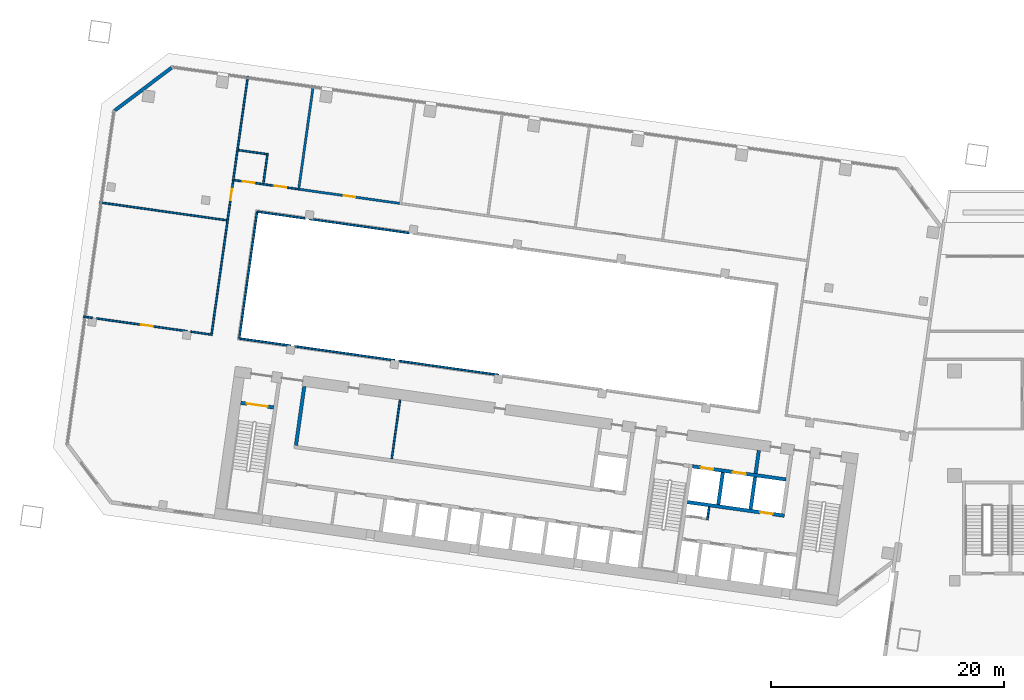
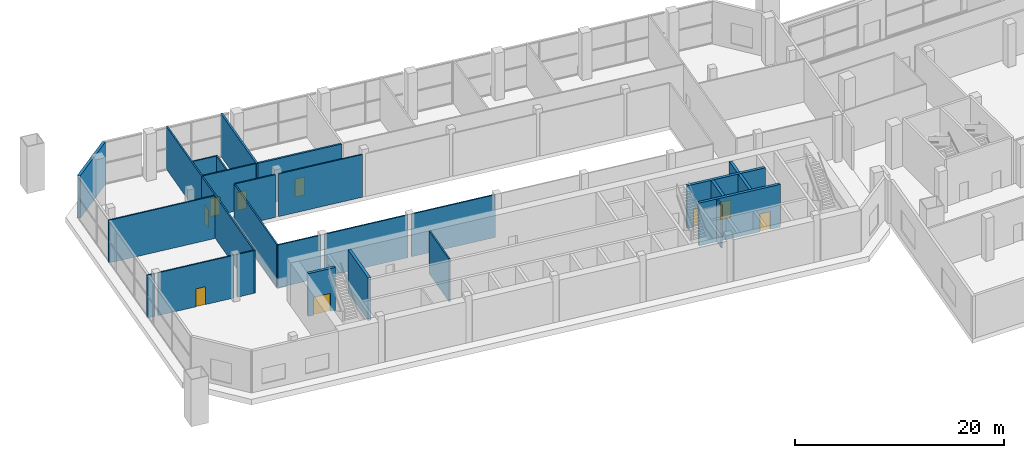
# One storey, part 11 of 23: 27 walls, 9 doors, 9 openings.
"""IFC4 building model written with IfcOpenShell, lengths in metres."""

from ifc_helpers import new_model, si_unit, direction, frame, frame_2d, origin, place, context, subcontext, project, spatial, rectangle, extrude, material, layer, layer_set, type_object, element, fill, save


model = new_model("IFC4")

# Units and contexts
model_context = context("Model", 3, precision=1e-05, world=origin(), true_north=direction((0.0, 1.0)))
body_context = subcontext(model_context, "Body", "Model", "MODEL_VIEW")
ifc_project = project(units=[si_unit("LENGTHUNIT", "METRE"), si_unit("AREAUNIT", "SQUARE_METRE"), si_unit("VOLUMEUNIT", "CUBIC_METRE"), si_unit("PLANEANGLEUNIT", "RADIAN"), si_unit("MASSUNIT", "GRAM", prefix="KILO")], contexts=[model_context])

# Site, building, storey
site_placement = place(None, origin())
site = spatial("IfcSite", under=ifc_project, at=site_placement, CompositionType="ELEMENT")
building_placement = place(site_placement, origin())
building = spatial("IfcBuilding", under=site, at=building_placement, Name="Mirante Cascada Hotel Towers", CompositionType="ELEMENT")
storey_placement = place(building_placement, frame((0.0, 0.0, 29.0)))
storey = spatial("IfcBuildingStorey", under=building, at=storey_placement, Name="L04", CompositionType="ELEMENT", Elevation=29.0)

# Walls
ifc_material_1 = material(Name="Masonry block", Category="masonry")
ifc_layer_1 = layer(ifc_material_1, 0.15)
ifc_layer_set_1 = layer_set([ifc_layer_1], Name="Core room partition 150 block EI 30")
wall_type_1 = type_object("IfcWallType", Name="Core room partition 150 block EI 30", PredefinedType="PARTITIONING", material=ifc_layer_set_1)
wall_1_placement = place(storey_placement, frame((-48.2295, -12.793, 0.0), z_axis=(0.0, 0.0, 1.0), x_axis=(0.1391935, 0.9902652, 0.0)))
element("IfcWall", 1, at=wall_1_placement, inside=storey, type_object=wall_type_1, Name="Core wall partition T1 L04 2", PredefinedType="PARTITIONING", context=body_context, shape_type="SweptSolid", body=[
    extrude(rectangle(XDim=1.1251, YDim=0.15, at=frame_2d((0.5626, 0.0))), origin(), (0.0, 0.0, 1.0), 5.0),
])
wall_2_placement = place(storey_placement, frame((-75.3131, -7.5476, 0.0), z_axis=(0.0, 0.0, 1.0), x_axis=(0.1391782, 0.9902673, 0.0)))
element("IfcWall", 2, at=wall_2_placement, inside=storey, type_object=wall_type_1, Name="Core wall partition T1 L04 5", PredefinedType="PARTITIONING", context=body_context, shape_type="SweptSolid", body=[
    extrude(rectangle(XDim=5.0999, YDim=0.15, at=frame_2d((2.55, 0.0))), origin(), (0.0, 0.0, 1.0), 5.0),
])
ifc_material_2 = material(Name="Masonry block", Category="masonry")
ifc_layer_2 = layer(ifc_material_2, 0.3)
ifc_layer_set_2 = layer_set([ifc_layer_2], Name="Core wall 300 block EI 120")
wall_type_2 = type_object("IfcWallType", Name="Core wall 300 block EI 120", PredefinedType="PARTITIONING", material=ifc_layer_set_2)
wall_3_placement = place(storey_placement, frame((-44.0843, -8.8061, 0.0), z_axis=(0.0, 0.0, 1.0), x_axis=(0.1391951, 0.990265, 0.0)))
element("IfcWall", 3, at=wall_3_placement, inside=storey, type_object=wall_type_2, Name="Core wall partition T1 L04 1", PredefinedType="PARTITIONING", context=body_context, shape_type="SweptSolid", body=[
    extrude(rectangle(XDim=2.0001, YDim=0.3, at=frame_2d((1.0001, 0.0))), origin(), (0.0, 0.0, 1.0), 5.0),
])
ifc_material_3 = material(Name="Masonry block", Category="masonry")
ifc_layer_3 = layer(ifc_material_3, 0.15)
ifc_layer_set_3 = layer_set([ifc_layer_3], Name="Corridor wall 150 block")
wall_type_3 = type_object("IfcWallType", Name="Corridor wall 150 block", PredefinedType="PARTITIONING", material=ifc_layer_set_3)
wall_4_placement = place(storey_placement, frame((-101.7725, 4.6536, 0.0), z_axis=(0.0, 0.0, 1.0), x_axis=(0.9902566, -0.1392548, 0.0)))
element("IfcWall", 4, at=wall_4_placement, inside=storey, type_object=wall_type_3, Name="Corridor wall T1 L04", PredefinedType="PARTITIONING", context=body_context, shape_type="SweptSolid", body=[
    extrude(rectangle(XDim=0.7756, YDim=0.15, at=frame_2d((0.3878, 0.0))), origin(), (0.0, 0.0, 1.0), 5.0),
])
wall_5_placement = place(storey_placement, frame((-88.3742, 2.7705, 0.0), z_axis=(0.0, 0.0, 1.0), x_axis=(0.9902682, -0.1391725, 0.0)))
element("IfcWall", 5, at=wall_5_placement, inside=storey, type_object=wall_type_3, Name="Corridor wall T1 L04", PredefinedType="PARTITIONING", context=body_context, shape_type="SweptSolid", body=[
    extrude(rectangle(XDim=4.4456, YDim=0.15, at=frame_2d((2.2228, 0.0))), origin(), (0.0, 0.0, 1.0), 5.0),
])
wall_6_placement = place(storey_placement, frame((-86.8433, 13.6635, 0.0), z_axis=(0.0, 0.0, 1.0), x_axis=(0.9902672, -0.1391794, 0.0)))
element("IfcWall", 6, at=wall_6_placement, inside=storey, type_object=wall_type_3, Name="Corridor wall T1 L04", PredefinedType="PARTITIONING", context=body_context, shape_type="SweptSolid", body=[
    extrude(rectangle(XDim=4.1658, YDim=0.15, at=frame_2d((2.0829, 0.0))), origin(), (0.0, 0.0, 1.0), 5.0),
])
wall_7_placement = place(storey_placement, frame((-88.3997, 2.8044, 0.0), z_axis=(0.0, 0.0, 1.0), x_axis=(0.1391764, 0.9902676, 0.0)))
element("IfcWall", 7, at=wall_7_placement, inside=storey, type_object=wall_type_3, Name="Corridor wall T1 L04", PredefinedType="PARTITIONING", context=body_context, shape_type="SweptSolid", body=[
    extrude(rectangle(XDim=10.9401, YDim=0.15, at=frame_2d((5.47, 0.0))), origin(), (0.0, 0.0, 1.0), 5.0),
])

# Wall, opening, door
wall_8_placement = place(storey_placement, frame((-90.791, 3.0345, 0.0), z_axis=(0.0, 0.0, 1.0), x_axis=(0.1391789, 0.9902673, 0.0)))
wall_8 = element("IfcWall", 8, at=wall_8_placement, inside=storey, type_object=wall_type_3, Name="Corridor wall T1 L04", PredefinedType="PARTITIONING", context=body_context, shape_type="SweptSolid", body=[
    extrude(rectangle(XDim=13.4, YDim=0.15, at=frame_2d((6.7, 0.0))), origin(), (0.0, 0.0, 1.0), 5.0),
])
opening_1_placement = place(wall_8_placement, frame((11.7325, 0.0, 0.0)))
opening_1 = element("IfcOpeningElement", 9, at=opening_1_placement, cuts=wall_8, Name="Opening DP1-L04-04", PredefinedType="OPENING", context=body_context, shape_type="SweptSolid", body=[
    extrude(rectangle(XDim=1.0, YDim=2.1, at=frame_2d((0.5, 1.05))), frame((0.0, 0.075, 0.0), z_axis=(0.0, -1.0, 0.0), x_axis=(1.0, 0.0, 0.0)), (0.0, 0.0, 1.0), 0.15),
])
ifc_material_4 = material(Name="Timber door leaf", Category="wood")
door_type_1 = type_object("IfcDoorType", Name="Single door 1000x2100", OperationType="NOTDEFINED", PredefinedType="DOOR", material=ifc_material_4)
door_1_placement = place(opening_1_placement, origin())
door_1 = element("IfcDoor", 10, at=door_1_placement, inside=storey, type_object=door_type_1, Name="Door DP1-L04-04", OperationType="SINGLE_SWING_RIGHT", OverallHeight=2.1, OverallWidth=1.0, PredefinedType="DOOR", context=body_context, shape_type="SweptSolid", body=[
    extrude(rectangle(XDim=1.0, YDim=2.1, at=frame_2d((0.5, 1.05))), frame((0.0, 0.025, 0.0), z_axis=(0.0, -1.0, 0.0), x_axis=(1.0, 0.0, 0.0)), (0.0, 0.0, 1.0), 0.05),
])
fill(opening_1, door_1)

wall_9_placement = place(storey_placement, frame((-100.679, 4.4999, 0.0), z_axis=(0.0, 0.0, 1.0), x_axis=(0.9902679, -0.1391746, 0.0)))
wall_9 = element("IfcWall", 11, at=wall_9_placement, inside=storey, type_object=wall_type_3, Name="Corridor wall T1 L04", PredefinedType="PARTITIONING", context=body_context, shape_type="SweptSolid", body=[
    extrude(rectangle(XDim=7.8714, YDim=0.15, at=frame_2d((3.9357, 0.0))), origin(), (0.0, 0.0, 1.0), 5.0),
])
opening_2_placement = place(wall_9_placement, frame((3.9133, 0.0, 0.0)))
opening_2 = element("IfcOpeningElement", 12, at=opening_2_placement, cuts=wall_9, Name="Opening DP1-L04-03", PredefinedType="OPENING", context=body_context, shape_type="SweptSolid", body=[
    extrude(rectangle(XDim=1.0, YDim=2.1, at=frame_2d((0.5, 1.05))), frame((0.0, 0.075, 0.0), z_axis=(0.0, -1.0, 0.0), x_axis=(1.0, 0.0, 0.0)), (0.0, 0.0, 1.0), 0.15),
])
door_2_placement = place(opening_2_placement, origin())
door_2 = element("IfcDoor", 13, at=door_2_placement, inside=storey, type_object=door_type_1, Name="Door DP1-L04-03", OperationType="SINGLE_SWING_LEFT", OverallHeight=2.1, OverallWidth=1.0, PredefinedType="DOOR", context=body_context, shape_type="SweptSolid", body=[
    extrude(rectangle(XDim=1.0, YDim=2.1, at=frame_2d((0.5, 1.05))), frame((0.0, 0.025, 0.0), z_axis=(0.0, -1.0, 0.0), x_axis=(1.0, 0.0, 0.0)), (0.0, 0.0, 1.0), 0.05),
])
fill(opening_2, door_2)

# Walls
wall_10_placement = place(storey_placement, frame((-92.5588, 3.3587, 0.0), z_axis=(0.0, 0.0, 1.0), x_axis=(0.9902659, -0.1391884, 0.0)))
element("IfcWall", 14, at=wall_10_placement, inside=storey, type_object=wall_type_3, Name="Corridor wall T1 L04", PredefinedType="PARTITIONING", context=body_context, shape_type="SweptSolid", body=[
    extrude(rectangle(XDim=1.7307, YDim=0.15, at=frame_2d((0.8654, 0.0))), origin(), (0.0, 0.0, 1.0), 5.0),
])
for number, where, z_axis, x_axis, name in (
    (15, (-83.6464, 2.1061, 0.0), (0.0, 0.0, 1.0), (0.9902682, -0.139172, 0.0), "Corridor wall T1 L04"),
    (16, (-74.734, 0.8535, 0.0), (0.0, 0.0, 1.0), (0.9902682, -0.139172, 0.0), "Corridor wall T1 L04"),
    (17, (-82.3925, 13.038, 0.0), (0.0, 0.0, 1.0), (0.9902682, -0.139172, 0.0), "Corridor wall T1 L04"),
):
    element("IfcWall", number, at=place(storey_placement, frame(where, z_axis=z_axis, x_axis=x_axis)), inside=storey, type_object=wall_type_3, Name=name, PredefinedType="PARTITIONING", context=body_context, shape_type="SweptSolid", body=[
        extrude(rectangle(XDim=8.6713, YDim=0.15, at=frame_2d((4.3356, 0.0))), origin(), (0.0, 0.0, 1.0), 5.0),
    ])

# Wall, opening, door
ifc_material_5 = material(Name="Masonry block", Category="masonry")
ifc_layer_4 = layer(ifc_material_5, 0.2)
ifc_layer_set_4 = layer_set([ifc_layer_4], Name="Kitchen wall 200 block EI 120")
wall_type_4 = type_object("IfcWallType", Name="Kitchen wall 200 block EI 120", PredefinedType="PARTITIONING", material=ifc_layer_set_4)
wall_11_placement = place(storey_placement, frame((-83.2083, 15.5762, 0.0), z_axis=(0.0, 0.0, 1.0), x_axis=(0.990268, -0.1391733, 0.0)))
wall_11 = element("IfcWall", 18, at=wall_11_placement, inside=storey, type_object=wall_type_4, Name="Kitchen wall T1 L04", PredefinedType="PARTITIONING", context=body_context, shape_type="SweptSolid", body=[
    extrude(rectangle(XDim=8.6453, YDim=0.2, at=frame_2d((4.3226, 0.0))), origin(), (0.0, 0.0, 1.0), 5.0),
])
opening_3_placement = place(wall_11_placement, frame((3.8227, 0.0, 0.0)))
opening_3 = element("IfcOpeningElement", 19, at=opening_3_placement, cuts=wall_11, Name="Opening DP1-L04-09", PredefinedType="OPENING", context=body_context, shape_type="SweptSolid", body=[
    extrude(rectangle(XDim=1.0, YDim=2.1, at=frame_2d((0.5, 1.05))), frame((0.0, 0.1, 0.0), z_axis=(0.0, -1.0, 0.0), x_axis=(1.0, 0.0, 0.0)), (0.0, 0.0, 1.0), 0.2),
])
ifc_material_6 = material(Name="Hollow metal fire door leaf")
door_type_2 = type_object("IfcDoorType", Name="Fire door 1000x2100 FD60", OperationType="NOTDEFINED", PredefinedType="DOOR", material=ifc_material_6)
door_3_placement = place(opening_3_placement, origin())
door_3 = element("IfcDoor", 20, at=door_3_placement, inside=storey, type_object=door_type_2, Name="Door DP1-L04-09", OperationType="SINGLE_SWING_LEFT", OverallHeight=2.1, OverallWidth=1.0, PredefinedType="DOOR", context=body_context, shape_type="SweptSolid", body=[
    extrude(rectangle(XDim=1.0, YDim=2.1, at=frame_2d((0.5, 1.05))), frame((0.0, 0.025, 0.0), z_axis=(0.0, -1.0, 0.0), x_axis=(1.0, 0.0, 0.0)), (0.0, 0.0, 1.0), 0.05),
])
fill(opening_3, door_3)

# Walls
wall_12_placement = place(storey_placement, frame((-83.3113, 15.4897, 0.0), z_axis=(0.0, 0.0, 1.0), x_axis=(0.1391764, 0.9902676, 0.0)))
element("IfcWall", 21, at=wall_12_placement, inside=storey, type_object=wall_type_4, Name="Kitchen wall T1 L04", PredefinedType="PARTITIONING", context=body_context, shape_type="SweptSolid", body=[
    extrude(rectangle(XDim=9.1, YDim=0.2, at=frame_2d((4.55, 0.0))), origin(), (0.0, 0.0, 1.0), 5.0),
])
ifc_material_7 = material(Name="Masonry block", Category="masonry")
ifc_layer_5 = layer(ifc_material_7, 0.15)
ifc_layer_set_5 = layer_set([ifc_layer_5], Name="Partition 150 block")
wall_type_5 = type_object("IfcWallType", Name="Partition 150 block", PredefinedType="PARTITIONING", material=ifc_layer_set_5)
wall_13_placement = place(storey_placement, frame((-100.3947, 14.4572, 0.0), z_axis=(0.0, 0.0, 1.0), x_axis=(0.9902679, -0.1391746, 0.0)))
element("IfcWall", 22, at=wall_13_placement, inside=storey, type_object=wall_type_5, Name="Partition T1 L04", PredefinedType="PARTITIONING", context=body_context, shape_type="SweptSolid", body=[
    extrude(rectangle(XDim=11.025, YDim=0.15, at=frame_2d((5.5125, 0.0))), origin(), (0.0, 0.0, 1.0), 5.0),
])
ifc_material_8 = material(Name="Precast concrete C40/50", Category="concrete")
ifc_layer_6 = layer(ifc_material_8, 0.3)
ifc_layer_set_6 = layer_set([ifc_layer_6], Name="Precast concrete C40/50 cladding wall 300")
wall_type_6 = type_object("IfcWallType", Name="Precast concrete C40/50 cladding wall 300", PredefinedType="STANDARD", material=ifc_layer_set_6)
wall_14_placement = place(storey_placement, frame((-99.0919, 22.3343, 0.0), z_axis=(0.0, 0.0, 1.0), x_axis=(0.7986362, 0.6018141, 0.0)))
element("IfcWall", 23, at=wall_14_placement, inside=storey, type_object=wall_type_6, Name="Corner cladding wall T1 L04 outer front", PredefinedType="STANDARD", context=body_context, shape_type="SweptSolid", body=[
    extrude(rectangle(XDim=6.1157, YDim=0.3, at=frame_2d((3.0578, 0.0))), origin(), (0.0, 0.0, 1.0), 5.0),
])

# Wall, opening, door
ifc_material_9 = material(Name="Concrete C50/60", Category="concrete")
ifc_layer_7 = layer(ifc_material_9, 0.3)
ifc_layer_set_7 = layer_set([ifc_layer_7], Name="RC core wall 300 C50/60")
wall_type_7 = type_object("IfcWallType", Name="RC core wall 300 C50/60", PredefinedType="SHEAR", material=ifc_layer_set_7)
wall_15_placement = place(storey_placement, frame((-85.4489, -3.1441, 0.0), z_axis=(0.0, 0.0, 1.0), x_axis=(-0.9902697, 0.1391613, 0.0)))
wall_15 = element("IfcWall", 24, at=wall_15_placement, inside=storey, type_object=wall_type_7, Name="Core wall T1:L04:11", PredefinedType="SHEAR", context=body_context, shape_type="SweptSolid", body=[
    extrude(rectangle(XDim=2.8499, YDim=0.3, at=frame_2d((1.425, 0.0))), origin(), (0.0, 0.0, 1.0), 5.0),
])
opening_4_placement = place(wall_15_placement, frame((0.525, 0.0, 0.0)))
opening_4 = element("IfcOpeningElement", 25, at=opening_4_placement, cuts=wall_15, Name="Opening D1-04-C20", PredefinedType="OPENING", context=body_context, shape_type="SweptSolid", body=[
    extrude(rectangle(XDim=1.8, YDim=2.1, at=frame_2d((0.9, 1.05))), frame((0.0, 0.15, 0.0), z_axis=(0.0, -1.0, 0.0), x_axis=(1.0, 0.0, 0.0)), (0.0, 0.0, 1.0), 0.3),
])
ifc_material_10 = material(Name="Hollow metal fire door leaf")
door_type_3 = type_object("IfcDoorType", Name="Double fire door 1800x2100 FD60", OperationType="DOUBLE_DOOR_SINGLE_SWING", PredefinedType="DOOR", material=ifc_material_10)
door_4_placement = place(opening_4_placement, origin())
door_4 = element("IfcDoor", 26, at=door_4_placement, inside=storey, type_object=door_type_3, Name="Stair door T1 L04 20", OperationType="DOUBLE_DOOR_SINGLE_SWING", OverallHeight=2.1, OverallWidth=1.8, PredefinedType="DOOR", context=body_context, shape_type="SweptSolid", body=[
    extrude(rectangle(XDim=0.895, YDim=2.1, at=frame_2d((0.4475, 1.05))), frame((0.0, 0.025, 0.0), z_axis=(0.0, -1.0, 0.0), x_axis=(1.0, 0.0, 0.0)), (0.0, 0.0, 1.0), 0.05),
    extrude(rectangle(XDim=0.895, YDim=2.1, at=frame_2d((1.3525, 1.05))), frame((0.0, 0.025, 0.0), z_axis=(0.0, -1.0, 0.0), x_axis=(1.0, 0.0, 0.0)), (0.0, 0.0, 1.0), 0.05),
])
fill(opening_4, door_4)

wall_16_placement = place(storey_placement, frame((-41.6153, -12.435, 0.0), z_axis=(0.0, 0.0, 1.0), x_axis=(-0.9902691, 0.139166, 0.0)))
wall_16 = element("IfcWall", 27, at=wall_16_placement, inside=storey, type_object=wall_type_7, Name="Core wall T1:L04:13", PredefinedType="SHEAR", context=body_context, shape_type="SweptSolid", body=[
    extrude(rectangle(XDim=8.4, YDim=0.3, at=frame_2d((4.2, 0.0))), origin(), (0.0, 0.0, 1.0), 5.0),
])
opening_5_placement = place(wall_16_placement, frame((1.0, 0.0, 0.0)))
opening_5 = element("IfcOpeningElement", 28, at=opening_5_placement, cuts=wall_16, Name="Opening LD", PredefinedType="OPENING", context=body_context, shape_type="SweptSolid", body=[
    extrude(rectangle(XDim=1.1, YDim=2.1, at=frame_2d((0.55, 1.05))), frame((0.0, 0.15, 0.0), z_axis=(0.0, -1.0, 0.0), x_axis=(1.0, 0.0, 0.0)), (0.0, 0.0, 1.0), 0.3),
])
ifc_material_11 = material(Name="Stainless steel", Category="steel")
door_type_4 = type_object("IfcDoorType", Name="Lift landing door 1100x2100 EI 120", OperationType="DOUBLE_DOOR_SLIDING", PredefinedType="DOOR", material=ifc_material_11)
door_5_placement = place(opening_5_placement, origin())
door_5 = element("IfcDoor", 29, at=door_5_placement, inside=storey, type_object=door_type_4, Name="Lift landing door HR1-4 L04", OperationType="DOUBLE_DOOR_SLIDING", OverallHeight=2.1, OverallWidth=1.1, PredefinedType="DOOR", context=body_context, shape_type="SweptSolid", body=[
    extrude(rectangle(XDim=0.545, YDim=2.1, at=frame_2d((0.2725, 1.05))), frame((0.0, 0.025, 0.0), z_axis=(0.0, -1.0, 0.0), x_axis=(1.0, 0.0, 0.0)), (0.0, 0.0, 1.0), 0.05),
    extrude(rectangle(XDim=0.545, YDim=2.1, at=frame_2d((0.8275, 1.05))), frame((0.0, 0.025, 0.0), z_axis=(0.0, -1.0, 0.0), x_axis=(1.0, 0.0, 0.0)), (0.0, 0.0, 1.0), 0.05),
])
fill(opening_5, door_5)

# Wall, openings, doors
wall_17_placement = place(storey_placement, frame((-41.481, -9.3234, 0.0), z_axis=(0.0, 0.0, 1.0), x_axis=(-0.9902679, 0.1391741, 0.0)))
wall_17 = element("IfcWall", 30, at=wall_17_placement, inside=storey, type_object=wall_type_7, Name="Core wall T1:L04:14", PredefinedType="SHEAR", context=body_context, shape_type="SweptSolid", body=[
    extrude(rectangle(XDim=8.0999, YDim=0.3, at=frame_2d((4.05, 0.0))), origin(), (0.0, 0.0, 1.0), 5.0),
])
opening_6_placement = place(wall_17_placement, frame((3.5, 0.0, 0.0)))
opening_6 = element("IfcOpeningElement", 31, at=opening_6_placement, cuts=wall_17, Name="Opening LD", PredefinedType="OPENING", context=body_context, shape_type="SweptSolid", body=[
    extrude(rectangle(XDim=1.1, YDim=2.1, at=frame_2d((0.55, 1.05))), frame((0.0, 0.15, 0.0), z_axis=(0.0, -1.0, 0.0), x_axis=(1.0, 0.0, 0.0)), (0.0, 0.0, 1.0), 0.3),
])
opening_7_placement = place(wall_17_placement, frame((6.3, 0.0, 0.0)))
opening_7 = element("IfcOpeningElement", 32, at=opening_7_placement, cuts=wall_17, Name="Opening LD", PredefinedType="OPENING", context=body_context, shape_type="SweptSolid", body=[
    extrude(rectangle(XDim=1.1, YDim=2.1, at=frame_2d((0.55, 1.05))), frame((0.0, 0.15, 0.0), z_axis=(0.0, -1.0, 0.0), x_axis=(1.0, 0.0, 0.0)), (0.0, 0.0, 1.0), 0.3),
])
door_6_placement = place(opening_6_placement, origin())
door_6 = element("IfcDoor", 33, at=door_6_placement, inside=storey, type_object=door_type_4, Name="Lift landing door FF1 L04", OperationType="DOUBLE_DOOR_SLIDING", OverallHeight=2.1, OverallWidth=1.1, PredefinedType="DOOR", context=body_context, shape_type="SweptSolid", body=[
    extrude(rectangle(XDim=0.545, YDim=2.1, at=frame_2d((0.2725, 1.05))), frame((0.0, 0.025, 0.0), z_axis=(0.0, -1.0, 0.0), x_axis=(1.0, 0.0, 0.0)), (0.0, 0.0, 1.0), 0.05),
    extrude(rectangle(XDim=0.545, YDim=2.1, at=frame_2d((0.8275, 1.05))), frame((0.0, 0.025, 0.0), z_axis=(0.0, -1.0, 0.0), x_axis=(1.0, 0.0, 0.0)), (0.0, 0.0, 1.0), 0.05),
])
fill(opening_6, door_6)
door_7_placement = place(opening_7_placement, origin())
door_7 = element("IfcDoor", 34, at=door_7_placement, inside=storey, type_object=door_type_4, Name="Lift landing door FF2 L04", OperationType="DOUBLE_DOOR_SLIDING", OverallHeight=2.1, OverallWidth=1.1, PredefinedType="DOOR", context=body_context, shape_type="SweptSolid", body=[
    extrude(rectangle(XDim=0.545, YDim=2.1, at=frame_2d((0.2725, 1.05))), frame((0.0, 0.025, 0.0), z_axis=(0.0, -1.0, 0.0), x_axis=(1.0, 0.0, 0.0)), (0.0, 0.0, 1.0), 0.05),
    extrude(rectangle(XDim=0.545, YDim=2.1, at=frame_2d((0.8275, 1.05))), frame((0.0, 0.025, 0.0), z_axis=(0.0, -1.0, 0.0), x_axis=(1.0, 0.0, 0.0)), (0.0, 0.0, 1.0), 0.05),
])
fill(opening_7, door_7)

# Walls
for number, where, z_axis, x_axis, name in (
    (35, (-44.5157, -11.8759, 0.0), (0.0, 0.0, 1.0), (0.139181, 0.990267, 0.0), "Core wall T1:L04:18"),
    (36, (-47.2885, -11.4862, 0.0), (0.0, 0.0, 1.0), (0.139181, 0.990267, 0.0), "Core wall T1:L04:19"),
):
    element("IfcWall", number, at=place(storey_placement, frame(where, z_axis=z_axis, x_axis=x_axis)), inside=storey, type_object=wall_type_7, Name=name, PredefinedType="SHEAR", context=body_context, shape_type="SweptSolid", body=[
        extrude(rectangle(XDim=2.8, YDim=0.3, at=frame_2d((1.4, 0.0))), origin(), (0.0, 0.0, 1.0), 5.0),
    ])
wall_18_placement = place(storey_placement, frame((-83.5323, -6.3925, 0.0), z_axis=(0.0, 0.0, 1.0), x_axis=(0.1391755, 0.9902677, 0.0)))
element("IfcWall", 37, at=wall_18_placement, inside=storey, type_object=wall_type_7, Name="Core wall T1:L04:36", PredefinedType="SHEAR", context=body_context, shape_type="SweptSolid", body=[
    extrude(rectangle(XDim=5.1, YDim=0.3, at=frame_2d((2.55, 0.0))), origin(), (0.0, 0.0, 1.0), 5.0),
])

# Wall, openings, doors
ifc_material_12 = material(Name="Masonry block", Category="masonry")
ifc_layer_8 = layer(ifc_material_12, 0.15)
ifc_layer_set_8 = layer_set([ifc_layer_8], Name="Wet room wall 150 block")
wall_type_8 = type_object("IfcWallType", Name="Wet room wall 150 block", PredefinedType="PARTITIONING", material=ifc_layer_set_8)
wall_19_placement = place(storey_placement, frame((-88.8413, 16.3679, 0.0), z_axis=(0.0, 0.0, 1.0), x_axis=(0.9902686, -0.1391692, 0.0)))
wall_19 = element("IfcWall", 38, at=wall_19_placement, inside=storey, type_object=wall_type_8, Name="Wet room wall T1 L04", PredefinedType="PARTITIONING", context=body_context, shape_type="SweptSolid", body=[
    extrude(rectangle(XDim=5.5084, YDim=0.15, at=frame_2d((2.7542, 0.0))), origin(), (0.0, 0.0, 1.0), 5.0),
])
opening_8_placement = place(wall_19_placement, frame((3.5167, 0.0, 0.0)))
opening_8 = element("IfcOpeningElement", 39, at=opening_8_placement, cuts=wall_19, Name="Opening DP1-L04-10", PredefinedType="OPENING", context=body_context, shape_type="SweptSolid", body=[
    extrude(rectangle(XDim=1.0, YDim=2.1, at=frame_2d((0.5, 1.05))), frame((0.0, 0.075, 0.0), z_axis=(0.0, -1.0, 0.0), x_axis=(1.0, 0.0, 0.0)), (0.0, 0.0, 1.0), 0.15),
])
opening_9_placement = place(wall_19_placement, frame((0.7625, 0.0, 0.0)))
opening_9 = element("IfcOpeningElement", 40, at=opening_9_placement, cuts=wall_19, Name="Opening DP1-L04-11", PredefinedType="OPENING", context=body_context, shape_type="SweptSolid", body=[
    extrude(rectangle(XDim=1.0, YDim=2.1, at=frame_2d((0.5, 1.05))), frame((0.0, 0.075, 0.0), z_axis=(0.0, -1.0, 0.0), x_axis=(1.0, 0.0, 0.0)), (0.0, 0.0, 1.0), 0.15),
])
door_8_placement = place(opening_8_placement, origin())
door_8 = element("IfcDoor", 41, at=door_8_placement, inside=storey, type_object=door_type_1, Name="Door DP1-L04-10", OperationType="SINGLE_SWING_RIGHT", OverallHeight=2.1, OverallWidth=1.0, PredefinedType="DOOR", context=body_context, shape_type="SweptSolid", body=[
    extrude(rectangle(XDim=1.0, YDim=2.1, at=frame_2d((0.5, 1.05))), frame((0.0, 0.025, 0.0), z_axis=(0.0, -1.0, 0.0), x_axis=(1.0, 0.0, 0.0)), (0.0, 0.0, 1.0), 0.05),
])
fill(opening_8, door_8)
door_9_placement = place(opening_9_placement, origin())
door_9 = element("IfcDoor", 42, at=door_9_placement, inside=storey, type_object=door_type_1, Name="Door DP1-L04-11", OperationType="SINGLE_SWING_LEFT", OverallHeight=2.1, OverallWidth=1.0, PredefinedType="DOOR", context=body_context, shape_type="SweptSolid", body=[
    extrude(rectangle(XDim=1.0, YDim=2.1, at=frame_2d((0.5, 1.05))), frame((0.0, 0.025, 0.0), z_axis=(0.0, -1.0, 0.0), x_axis=(1.0, 0.0, 0.0)), (0.0, 0.0, 1.0), 0.05),
])
fill(opening_9, door_9)

# Walls
wall_20_placement = place(storey_placement, frame((-88.4795, 18.9426, 0.0), z_axis=(0.0, 0.0, 1.0), x_axis=(0.990267, -0.139181, 0.0)))
element("IfcWall", 43, at=wall_20_placement, inside=storey, type_object=wall_type_8, Name="Wet room wall T1 L04", PredefinedType="PARTITIONING", context=body_context, shape_type="SweptSolid", body=[
    extrude(rectangle(XDim=2.45, YDim=0.15, at=frame_2d((1.225, 0.0))), origin(), (0.0, 0.0, 1.0), 5.0),
])
wall_21_placement = place(storey_placement, frame((-86.3305, 16.0907, 0.0), z_axis=(0.0, 0.0, 1.0), x_axis=(0.1391918, 0.9902654, 0.0)))
element("IfcWall", 44, at=wall_21_placement, inside=storey, type_object=wall_type_8, Name="Wet room wall T1 L04", PredefinedType="PARTITIONING", context=body_context, shape_type="SweptSolid", body=[
    extrude(rectangle(XDim=2.6, YDim=0.15, at=frame_2d((1.3, 0.0))), origin(), (0.0, 0.0, 1.0), 5.0),
])
wall_22_placement = place(storey_placement, frame((-88.9274, 16.2941, 0.0), z_axis=(0.0, 0.0, 1.0), x_axis=(0.1391742, 0.9902679, 0.0)))
element("IfcWall", 45, at=wall_22_placement, inside=storey, type_object=wall_type_8, Name="Wet room wall T1 L04", PredefinedType="PARTITIONING", context=body_context, shape_type="SweptSolid", body=[
    extrude(rectangle(XDim=9.085, YDim=0.15, at=frame_2d((4.5425, 0.0))), origin(), (0.0, 0.0, 1.0), 5.0),
])

save(model, "model.ifc")
